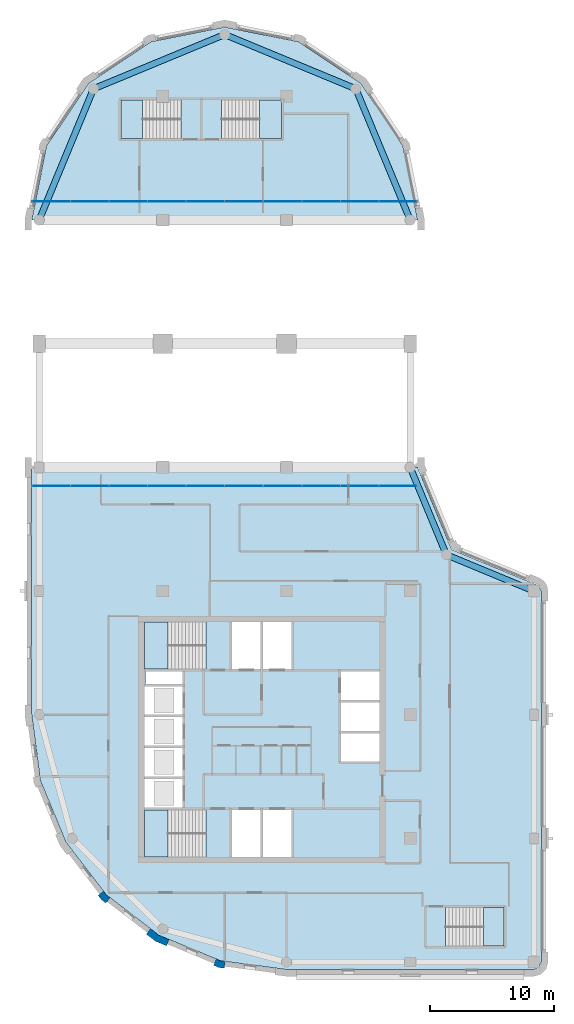
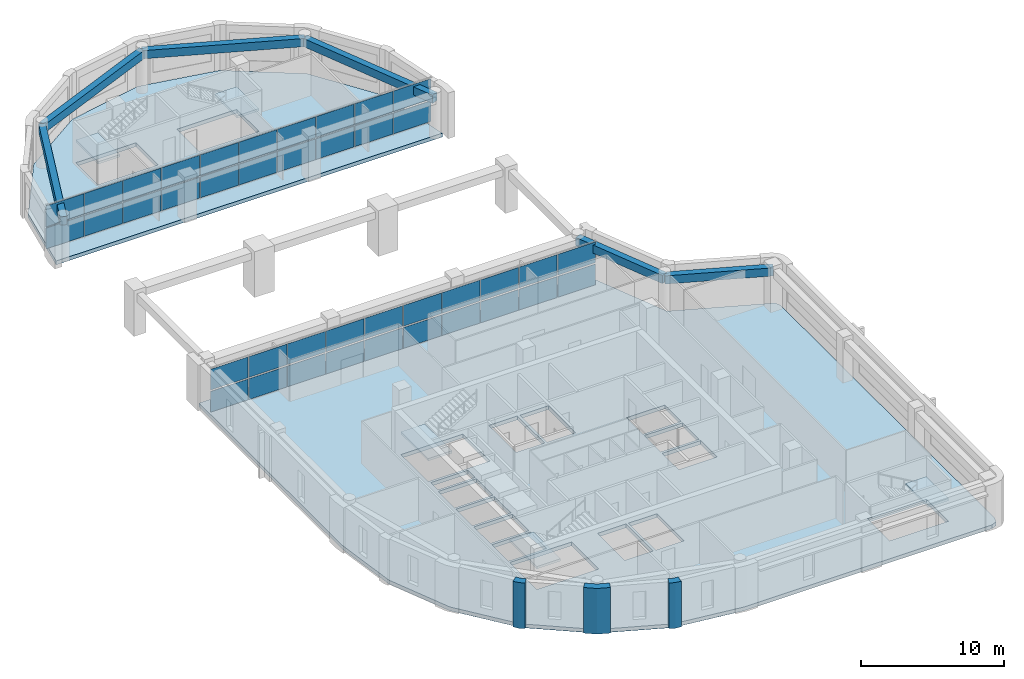
# One storey, part 4 of 11: 40 plates, 7 slabs, 6 beams, 3 walls, 7 elements without a shape of their own.
"""IFC4 building model written with IfcOpenShell, lengths in metres."""

from ifc_helpers import new_model, si_unit, direction, frame, origin, origin_2d, place, context, subcontext, project, spatial, polyline, rectangle, outline, extrude, material, layer, layer_set, material_profile, profile_set, type_object, element, aggregate, save


model = new_model("IFC4")

# Units and contexts
model_context = context("Model", 3, precision=1e-05, world=origin(), true_north=direction((0.0, 1.0)))
body_context = subcontext(model_context, "Body", "Model", "MODEL_VIEW")
ifc_project = project(units=[si_unit("LENGTHUNIT", "METRE"), si_unit("AREAUNIT", "SQUARE_METRE"), si_unit("VOLUMEUNIT", "CUBIC_METRE"), si_unit("PLANEANGLEUNIT", "RADIAN"), si_unit("MASSUNIT", "GRAM", prefix="KILO")], contexts=[model_context])

# Site, building, storey
site_placement = place(None, origin())
site = spatial("IfcSite", under=ifc_project, at=site_placement, CompositionType="ELEMENT")
building_placement = place(site_placement, origin())
building = spatial("IfcBuilding", under=site, at=building_placement, Name="Qaws Garden Tower", CompositionType="ELEMENT")
storey_placement = place(building_placement, frame((0.0, 0.0, 317.699951171875)))
storey = spatial("IfcBuildingStorey", under=building, at=storey_placement, Name="L77", CompositionType="ELEMENT", Elevation=317.699951171875)

# Beams
ifc_material_1 = material(Name="Concrete C45", Category="concrete")
ifc_material_profile = material_profile(ifc_material_1, rectangle(XDim=0.5, YDim=0.699951171875, at=origin_2d()), Name="RC 500x700")
ifc_profile_set = profile_set([ifc_material_profile], Name="Concrete C45")
beam_type = type_object("IfcBeamType", Name="Spandrel beam RC 500x700 C45", PredefinedType="SPANDREL", material=ifc_profile_set)
for number, where, z_axis, x_axis, name in (
    (1, (40.0, 30.0, 3.22998046875), (-0.923878037141, 0.382687042488, 0.0), (-0.382687042488, -0.923878037141, 0.0), "Spandrel beam L77-006"),
    (2, (32.928955078125, 32.928955078125, 3.22998046875), (-0.382687042488, 0.923878037141, 0.0), (-0.923878037141, -0.382687042488, 0.0), "Spandrel beam L77-007"),
):
    element("IfcBeam", number, at=place(storey_placement, frame(where, z_axis=z_axis, x_axis=x_axis)), inside=storey, type_object=beam_type, Name=name, PredefinedType="SPANDREL", context=body_context, shape_type="SweptSolid", body=[
        extrude(rectangle(XDim=0.5, YDim=0.699951171875, at=origin_2d()), origin(), (0.0, 0.0, 1.0), 7.653564453125),
    ])
for number, where, z_axis, x_axis, name in (
    (3, (30.0, 60.0, 3.22998046875), (-0.382674207535, 0.923883353507, 0.0), (-0.923883353507, -0.382674207535, 0.0), "Spandrel beam L77-009"),
    (4, (25.606689453125, 70.606689453125, 3.22998046875), (-0.923883353507, 0.382674207535, 0.0), (-0.382674207535, -0.923883353507, 0.0), "Spandrel beam L77-010"),
    (5, (15.0, 75.0, 3.22998046875), (-0.923883353507, -0.382674207535, 0.0), (0.382674207535, -0.923883353507, 0.0), "Spandrel beam L77-011"),
    (6, (4.393310546875, 70.606689453125, 3.22998046875), (-0.382674207535, -0.923883353507, 0.0), (0.923883353507, -0.382674207535, 0.0), "Spandrel beam L77-012"),
):
    element("IfcBeam", number, at=place(storey_placement, frame(where, z_axis=z_axis, x_axis=x_axis)), inside=storey, type_object=beam_type, Name=name, PredefinedType="SPANDREL", context=body_context, shape_type="SweptSolid", body=[
        extrude(rectangle(XDim=0.5, YDim=0.699951171875, at=origin_2d()), origin(), (0.0, 0.0, 1.0), 11.48046875),
    ])

# Curtain wall, plates
ifc_material_2 = material(Name="Anodised aluminium curtain wall frame", Category="aluminium")
ifc_layer_1 = layer(ifc_material_2, 0.159912109375)
ifc_layer_set_1 = layer_set([ifc_layer_1], Name="Anodised aluminium curtain wall frame")
curtain_wall_type = type_object("IfcCurtainWallType", Name="CW5 portal screen curtain wall", PredefinedType="NOTDEFINED", material=ifc_layer_set_1)
placement_1 = place(storey_placement, origin())
curtain_wall_1 = element("IfcCurtainWall", 7, at=placement_1, inside=storey, type_object=curtain_wall_type, Name="CW5 Portal screen 0", PredefinedType="NOTDEFINED")
ifc_material_3 = material(Name="Clear laminated glass", Category="glass")
ifc_layer_2 = layer(ifc_material_3, 0.031982421875)
ifc_layer_set_2 = layer_set([ifc_layer_2], Name="Clear laminated glass")
plate_type = type_object("IfcPlateType", Name="CW5 glass panel 32", PredefinedType="CURTAIN_PANEL", material=ifc_layer_set_2)
plate_1_placement = place(storey_placement, frame((0.972412109375, 38.5, 0.1201171875), z_axis=(0.0, 0.0, 1.0), x_axis=(1.0, 0.0, 0.0)))
plate_1 = element("IfcPlate", 8, at=plate_1_placement, type_object=plate_type, Name="CW5 panel 1.1", PredefinedType="CURTAIN_PANEL", context=body_context, shape_type="SweptSolid", body=[
    extrude(rectangle(XDim=3.044921875, YDim=0.031982421875, at=origin_2d()), origin(), (0.0, 0.0, 1.0), 1.77001953125),
])
plate_2_placement = place(storey_placement, frame((0.972412109375, 38.5, 2.010009765625), z_axis=(0.0, 0.0, 1.0), x_axis=(1.0, 0.0, 0.0)))
plate_2 = element("IfcPlate", 9, at=plate_2_placement, type_object=plate_type, Name="CW5 panel 1.2", PredefinedType="CURTAIN_PANEL", context=body_context, shape_type="SweptSolid", body=[
    extrude(rectangle(XDim=3.044921875, YDim=0.031982421875, at=origin_2d()), origin(), (0.0, 0.0, 1.0), 1.77001953125),
])
plate_3_placement = place(storey_placement, frame((4.080078125, 38.5, 0.1201171875), z_axis=(0.0, 0.0, 1.0), x_axis=(1.0, 0.0, 0.0)))
plate_3 = element("IfcPlate", 10, at=plate_3_placement, type_object=plate_type, Name="CW5 panel 2.1", PredefinedType="CURTAIN_PANEL", context=body_context, shape_type="SweptSolid", body=[
    extrude(rectangle(XDim=3.070068359375, YDim=0.031982421875, at=origin_2d()), origin(), (0.0, 0.0, 1.0), 1.77001953125),
])
plate_4_placement = place(storey_placement, frame((4.080078125, 38.5, 2.010009765625), z_axis=(0.0, 0.0, 1.0), x_axis=(1.0, 0.0, 0.0)))
plate_4 = element("IfcPlate", 11, at=plate_4_placement, type_object=plate_type, Name="CW5 panel 2.2", PredefinedType="CURTAIN_PANEL", context=body_context, shape_type="SweptSolid", body=[
    extrude(rectangle(XDim=3.070068359375, YDim=0.031982421875, at=origin_2d()), origin(), (0.0, 0.0, 1.0), 1.77001953125),
])
plate_5_placement = place(storey_placement, frame((7.199951171875, 38.5, 0.1201171875), z_axis=(0.0, 0.0, 1.0), x_axis=(1.0, 0.0, 0.0)))
plate_5 = element("IfcPlate", 12, at=plate_5_placement, type_object=plate_type, Name="CW5 panel 3.1", PredefinedType="CURTAIN_PANEL", context=body_context, shape_type="SweptSolid", body=[
    extrude(rectangle(XDim=3.070068359375, YDim=0.031982421875, at=origin_2d()), origin(), (0.0, 0.0, 1.0), 1.77001953125),
])
plate_6_placement = place(storey_placement, frame((7.199951171875, 38.5, 2.010009765625), z_axis=(0.0, 0.0, 1.0), x_axis=(1.0, 0.0, 0.0)))
plate_6 = element("IfcPlate", 13, at=plate_6_placement, type_object=plate_type, Name="CW5 panel 3.2", PredefinedType="CURTAIN_PANEL", context=body_context, shape_type="SweptSolid", body=[
    extrude(rectangle(XDim=3.070068359375, YDim=0.031982421875, at=origin_2d()), origin(), (0.0, 0.0, 1.0), 1.77001953125),
])
plate_7_placement = place(storey_placement, frame((10.320068359375, 38.5, 0.1201171875), z_axis=(0.0, 0.0, 1.0), x_axis=(1.0, 0.0, 0.0)))
plate_7 = element("IfcPlate", 14, at=plate_7_placement, type_object=plate_type, Name="CW5 panel 4.1", PredefinedType="CURTAIN_PANEL", context=body_context, shape_type="SweptSolid", body=[
    extrude(rectangle(XDim=3.070068359375, YDim=0.031982421875, at=origin_2d()), origin(), (0.0, 0.0, 1.0), 1.77001953125),
])
plate_8_placement = place(storey_placement, frame((10.320068359375, 38.5, 2.010009765625), z_axis=(0.0, 0.0, 1.0), x_axis=(1.0, 0.0, 0.0)))
plate_8 = element("IfcPlate", 15, at=plate_8_placement, type_object=plate_type, Name="CW5 panel 4.2", PredefinedType="CURTAIN_PANEL", context=body_context, shape_type="SweptSolid", body=[
    extrude(rectangle(XDim=3.070068359375, YDim=0.031982421875, at=origin_2d()), origin(), (0.0, 0.0, 1.0), 1.77001953125),
])
plate_9_placement = place(storey_placement, frame((13.43994140625, 38.5, 0.1201171875), z_axis=(0.0, 0.0, 1.0), x_axis=(1.0, 0.0, 0.0)))
plate_9 = element("IfcPlate", 16, at=plate_9_placement, type_object=plate_type, Name="CW5 panel 5.1", PredefinedType="CURTAIN_PANEL", context=body_context, shape_type="SweptSolid", body=[
    extrude(rectangle(XDim=3.070068359375, YDim=0.031982421875, at=origin_2d()), origin(), (0.0, 0.0, 1.0), 1.77001953125),
])
plate_10_placement = place(storey_placement, frame((13.43994140625, 38.5, 2.010009765625), z_axis=(0.0, 0.0, 1.0), x_axis=(1.0, 0.0, 0.0)))
plate_10 = element("IfcPlate", 17, at=plate_10_placement, type_object=plate_type, Name="CW5 panel 5.2", PredefinedType="CURTAIN_PANEL", context=body_context, shape_type="SweptSolid", body=[
    extrude(rectangle(XDim=3.070068359375, YDim=0.031982421875, at=origin_2d()), origin(), (0.0, 0.0, 1.0), 1.77001953125),
])
plate_11_placement = place(storey_placement, frame((16.56005859375, 38.5, 0.1201171875), z_axis=(0.0, 0.0, 1.0), x_axis=(1.0, 0.0, 0.0)))
plate_11 = element("IfcPlate", 18, at=plate_11_placement, type_object=plate_type, Name="CW5 panel 6.1", PredefinedType="CURTAIN_PANEL", context=body_context, shape_type="SweptSolid", body=[
    extrude(rectangle(XDim=3.070068359375, YDim=0.031982421875, at=origin_2d()), origin(), (0.0, 0.0, 1.0), 1.77001953125),
])
plate_12_placement = place(storey_placement, frame((16.56005859375, 38.5, 2.010009765625), z_axis=(0.0, 0.0, 1.0), x_axis=(1.0, 0.0, 0.0)))
plate_12 = element("IfcPlate", 19, at=plate_12_placement, type_object=plate_type, Name="CW5 panel 6.2", PredefinedType="CURTAIN_PANEL", context=body_context, shape_type="SweptSolid", body=[
    extrude(rectangle(XDim=3.070068359375, YDim=0.031982421875, at=origin_2d()), origin(), (0.0, 0.0, 1.0), 1.77001953125),
])
plate_13_placement = place(storey_placement, frame((19.679931640625, 38.5, 0.1201171875), z_axis=(0.0, 0.0, 1.0), x_axis=(1.0, 0.0, 0.0)))
plate_13 = element("IfcPlate", 20, at=plate_13_placement, type_object=plate_type, Name="CW5 panel 7.1", PredefinedType="CURTAIN_PANEL", context=body_context, shape_type="SweptSolid", body=[
    extrude(rectangle(XDim=3.070068359375, YDim=0.031982421875, at=origin_2d()), origin(), (0.0, 0.0, 1.0), 1.77001953125),
])
plate_14_placement = place(storey_placement, frame((19.679931640625, 38.5, 2.010009765625), z_axis=(0.0, 0.0, 1.0), x_axis=(1.0, 0.0, 0.0)))
plate_14 = element("IfcPlate", 21, at=plate_14_placement, type_object=plate_type, Name="CW5 panel 7.2", PredefinedType="CURTAIN_PANEL", context=body_context, shape_type="SweptSolid", body=[
    extrude(rectangle(XDim=3.070068359375, YDim=0.031982421875, at=origin_2d()), origin(), (0.0, 0.0, 1.0), 1.77001953125),
])
plate_15_placement = place(storey_placement, frame((22.800048828125, 38.5, 0.1201171875), z_axis=(0.0, 0.0, 1.0), x_axis=(1.0, 0.0, 0.0)))
plate_15 = element("IfcPlate", 22, at=plate_15_placement, type_object=plate_type, Name="CW5 panel 8.1", PredefinedType="CURTAIN_PANEL", context=body_context, shape_type="SweptSolid", body=[
    extrude(rectangle(XDim=3.070068359375, YDim=0.031982421875, at=origin_2d()), origin(), (0.0, 0.0, 1.0), 1.77001953125),
])
plate_16_placement = place(storey_placement, frame((22.800048828125, 38.5, 2.010009765625), z_axis=(0.0, 0.0, 1.0), x_axis=(1.0, 0.0, 0.0)))
plate_16 = element("IfcPlate", 23, at=plate_16_placement, type_object=plate_type, Name="CW5 panel 8.2", PredefinedType="CURTAIN_PANEL", context=body_context, shape_type="SweptSolid", body=[
    extrude(rectangle(XDim=3.070068359375, YDim=0.031982421875, at=origin_2d()), origin(), (0.0, 0.0, 1.0), 1.77001953125),
])
plate_17_placement = place(storey_placement, frame((25.919921875, 38.5, 0.1201171875), z_axis=(0.0, 0.0, 1.0), x_axis=(1.0, 0.0, 0.0)))
plate_17 = element("IfcPlate", 24, at=plate_17_placement, type_object=plate_type, Name="CW5 panel 9.1", PredefinedType="CURTAIN_PANEL", context=body_context, shape_type="SweptSolid", body=[
    extrude(rectangle(XDim=3.070068359375, YDim=0.031982421875, at=origin_2d()), origin(), (0.0, 0.0, 1.0), 1.77001953125),
])
plate_18_placement = place(storey_placement, frame((25.919921875, 38.5, 2.010009765625), z_axis=(0.0, 0.0, 1.0), x_axis=(1.0, 0.0, 0.0)))
plate_18 = element("IfcPlate", 25, at=plate_18_placement, type_object=plate_type, Name="CW5 panel 9.2", PredefinedType="CURTAIN_PANEL", context=body_context, shape_type="SweptSolid", body=[
    extrude(rectangle(XDim=3.070068359375, YDim=0.031982421875, at=origin_2d()), origin(), (0.0, 0.0, 1.0), 1.77001953125),
])
plate_19_placement = place(storey_placement, frame((29.027587890625, 38.5, 0.1201171875), z_axis=(0.0, 0.0, 1.0), x_axis=(1.0, 0.0, 0.0)))
plate_19 = element("IfcPlate", 26, at=plate_19_placement, type_object=plate_type, Name="CW5 panel 10.1", PredefinedType="CURTAIN_PANEL", context=body_context, shape_type="SweptSolid", body=[
    extrude(rectangle(XDim=3.044921875, YDim=0.031982421875, at=origin_2d()), origin(), (0.0, 0.0, 1.0), 1.77001953125),
])
plate_20_placement = place(storey_placement, frame((29.027587890625, 38.5, 2.010009765625), z_axis=(0.0, 0.0, 1.0), x_axis=(1.0, 0.0, 0.0)))
plate_20 = element("IfcPlate", 27, at=plate_20_placement, type_object=plate_type, Name="CW5 panel 10.2", PredefinedType="CURTAIN_PANEL", context=body_context, shape_type="SweptSolid", body=[
    extrude(rectangle(XDim=3.044921875, YDim=0.031982421875, at=origin_2d()), origin(), (0.0, 0.0, 1.0), 1.77001953125),
])
aggregate(curtain_wall_1, [plate_1, plate_2, plate_3, plate_4, plate_5, plate_6, plate_7, plate_8, plate_9, plate_10, plate_11, plate_12, plate_13, plate_14, plate_15, plate_16, plate_17, plate_18, plate_19, plate_20])

curtain_wall_2 = element("IfcCurtainWall", 28, at=placement_1, inside=storey, type_object=curtain_wall_type, Name="CW5 Portal screen 1", PredefinedType="NOTDEFINED")
plate_21_placement = place(storey_placement, frame((0.972412109375, 61.5, 0.1201171875), z_axis=(0.0, 0.0, 1.0), x_axis=(1.0, 0.0, 0.0)))
plate_21 = element("IfcPlate", 29, at=plate_21_placement, type_object=plate_type, Name="CW5 panel 1.1", PredefinedType="CURTAIN_PANEL", context=body_context, shape_type="SweptSolid", body=[
    extrude(rectangle(XDim=3.044921875, YDim=0.031982421875, at=origin_2d()), origin(), (0.0, 0.0, 1.0), 1.77001953125),
])
plate_22_placement = place(storey_placement, frame((0.972412109375, 61.5, 2.010009765625), z_axis=(0.0, 0.0, 1.0), x_axis=(1.0, 0.0, 0.0)))
plate_22 = element("IfcPlate", 30, at=plate_22_placement, type_object=plate_type, Name="CW5 panel 1.2", PredefinedType="CURTAIN_PANEL", context=body_context, shape_type="SweptSolid", body=[
    extrude(rectangle(XDim=3.044921875, YDim=0.031982421875, at=origin_2d()), origin(), (0.0, 0.0, 1.0), 1.77001953125),
])
plate_23_placement = place(storey_placement, frame((4.080078125, 61.5, 0.1201171875), z_axis=(0.0, 0.0, 1.0), x_axis=(1.0, 0.0, 0.0)))
plate_23 = element("IfcPlate", 31, at=plate_23_placement, type_object=plate_type, Name="CW5 panel 2.1", PredefinedType="CURTAIN_PANEL", context=body_context, shape_type="SweptSolid", body=[
    extrude(rectangle(XDim=3.070068359375, YDim=0.031982421875, at=origin_2d()), origin(), (0.0, 0.0, 1.0), 1.77001953125),
])
plate_24_placement = place(storey_placement, frame((4.080078125, 61.5, 2.010009765625), z_axis=(0.0, 0.0, 1.0), x_axis=(1.0, 0.0, 0.0)))
plate_24 = element("IfcPlate", 32, at=plate_24_placement, type_object=plate_type, Name="CW5 panel 2.2", PredefinedType="CURTAIN_PANEL", context=body_context, shape_type="SweptSolid", body=[
    extrude(rectangle(XDim=3.070068359375, YDim=0.031982421875, at=origin_2d()), origin(), (0.0, 0.0, 1.0), 1.77001953125),
])
plate_25_placement = place(storey_placement, frame((7.199951171875, 61.5, 0.1201171875), z_axis=(0.0, 0.0, 1.0), x_axis=(1.0, 0.0, 0.0)))
plate_25 = element("IfcPlate", 33, at=plate_25_placement, type_object=plate_type, Name="CW5 panel 3.1", PredefinedType="CURTAIN_PANEL", context=body_context, shape_type="SweptSolid", body=[
    extrude(rectangle(XDim=3.070068359375, YDim=0.031982421875, at=origin_2d()), origin(), (0.0, 0.0, 1.0), 1.77001953125),
])
plate_26_placement = place(storey_placement, frame((7.199951171875, 61.5, 2.010009765625), z_axis=(0.0, 0.0, 1.0), x_axis=(1.0, 0.0, 0.0)))
plate_26 = element("IfcPlate", 34, at=plate_26_placement, type_object=plate_type, Name="CW5 panel 3.2", PredefinedType="CURTAIN_PANEL", context=body_context, shape_type="SweptSolid", body=[
    extrude(rectangle(XDim=3.070068359375, YDim=0.031982421875, at=origin_2d()), origin(), (0.0, 0.0, 1.0), 1.77001953125),
])
plate_27_placement = place(storey_placement, frame((10.320068359375, 61.5, 0.1201171875), z_axis=(0.0, 0.0, 1.0), x_axis=(1.0, 0.0, 0.0)))
plate_27 = element("IfcPlate", 35, at=plate_27_placement, type_object=plate_type, Name="CW5 panel 4.1", PredefinedType="CURTAIN_PANEL", context=body_context, shape_type="SweptSolid", body=[
    extrude(rectangle(XDim=3.070068359375, YDim=0.031982421875, at=origin_2d()), origin(), (0.0, 0.0, 1.0), 1.77001953125),
])
plate_28_placement = place(storey_placement, frame((10.320068359375, 61.5, 2.010009765625), z_axis=(0.0, 0.0, 1.0), x_axis=(1.0, 0.0, 0.0)))
plate_28 = element("IfcPlate", 36, at=plate_28_placement, type_object=plate_type, Name="CW5 panel 4.2", PredefinedType="CURTAIN_PANEL", context=body_context, shape_type="SweptSolid", body=[
    extrude(rectangle(XDim=3.070068359375, YDim=0.031982421875, at=origin_2d()), origin(), (0.0, 0.0, 1.0), 1.77001953125),
])
plate_29_placement = place(storey_placement, frame((13.43994140625, 61.5, 0.1201171875), z_axis=(0.0, 0.0, 1.0), x_axis=(1.0, 0.0, 0.0)))
plate_29 = element("IfcPlate", 37, at=plate_29_placement, type_object=plate_type, Name="CW5 panel 5.1", PredefinedType="CURTAIN_PANEL", context=body_context, shape_type="SweptSolid", body=[
    extrude(rectangle(XDim=3.070068359375, YDim=0.031982421875, at=origin_2d()), origin(), (0.0, 0.0, 1.0), 1.77001953125),
])
plate_30_placement = place(storey_placement, frame((13.43994140625, 61.5, 2.010009765625), z_axis=(0.0, 0.0, 1.0), x_axis=(1.0, 0.0, 0.0)))
plate_30 = element("IfcPlate", 38, at=plate_30_placement, type_object=plate_type, Name="CW5 panel 5.2", PredefinedType="CURTAIN_PANEL", context=body_context, shape_type="SweptSolid", body=[
    extrude(rectangle(XDim=3.070068359375, YDim=0.031982421875, at=origin_2d()), origin(), (0.0, 0.0, 1.0), 1.77001953125),
])
plate_31_placement = place(storey_placement, frame((16.56005859375, 61.5, 0.1201171875), z_axis=(0.0, 0.0, 1.0), x_axis=(1.0, 0.0, 0.0)))
plate_31 = element("IfcPlate", 39, at=plate_31_placement, type_object=plate_type, Name="CW5 panel 6.1", PredefinedType="CURTAIN_PANEL", context=body_context, shape_type="SweptSolid", body=[
    extrude(rectangle(XDim=3.070068359375, YDim=0.031982421875, at=origin_2d()), origin(), (0.0, 0.0, 1.0), 1.77001953125),
])
plate_32_placement = place(storey_placement, frame((16.56005859375, 61.5, 2.010009765625), z_axis=(0.0, 0.0, 1.0), x_axis=(1.0, 0.0, 0.0)))
plate_32 = element("IfcPlate", 40, at=plate_32_placement, type_object=plate_type, Name="CW5 panel 6.2", PredefinedType="CURTAIN_PANEL", context=body_context, shape_type="SweptSolid", body=[
    extrude(rectangle(XDim=3.070068359375, YDim=0.031982421875, at=origin_2d()), origin(), (0.0, 0.0, 1.0), 1.77001953125),
])
plate_33_placement = place(storey_placement, frame((19.679931640625, 61.5, 0.1201171875), z_axis=(0.0, 0.0, 1.0), x_axis=(1.0, 0.0, 0.0)))
plate_33 = element("IfcPlate", 41, at=plate_33_placement, type_object=plate_type, Name="CW5 panel 7.1", PredefinedType="CURTAIN_PANEL", context=body_context, shape_type="SweptSolid", body=[
    extrude(rectangle(XDim=3.070068359375, YDim=0.031982421875, at=origin_2d()), origin(), (0.0, 0.0, 1.0), 1.77001953125),
])
plate_34_placement = place(storey_placement, frame((19.679931640625, 61.5, 2.010009765625), z_axis=(0.0, 0.0, 1.0), x_axis=(1.0, 0.0, 0.0)))
plate_34 = element("IfcPlate", 42, at=plate_34_placement, type_object=plate_type, Name="CW5 panel 7.2", PredefinedType="CURTAIN_PANEL", context=body_context, shape_type="SweptSolid", body=[
    extrude(rectangle(XDim=3.070068359375, YDim=0.031982421875, at=origin_2d()), origin(), (0.0, 0.0, 1.0), 1.77001953125),
])
plate_35_placement = place(storey_placement, frame((22.800048828125, 61.5, 0.1201171875), z_axis=(0.0, 0.0, 1.0), x_axis=(1.0, 0.0, 0.0)))
plate_35 = element("IfcPlate", 43, at=plate_35_placement, type_object=plate_type, Name="CW5 panel 8.1", PredefinedType="CURTAIN_PANEL", context=body_context, shape_type="SweptSolid", body=[
    extrude(rectangle(XDim=3.070068359375, YDim=0.031982421875, at=origin_2d()), origin(), (0.0, 0.0, 1.0), 1.77001953125),
])
plate_36_placement = place(storey_placement, frame((22.800048828125, 61.5, 2.010009765625), z_axis=(0.0, 0.0, 1.0), x_axis=(1.0, 0.0, 0.0)))
plate_36 = element("IfcPlate", 44, at=plate_36_placement, type_object=plate_type, Name="CW5 panel 8.2", PredefinedType="CURTAIN_PANEL", context=body_context, shape_type="SweptSolid", body=[
    extrude(rectangle(XDim=3.070068359375, YDim=0.031982421875, at=origin_2d()), origin(), (0.0, 0.0, 1.0), 1.77001953125),
])
plate_37_placement = place(storey_placement, frame((25.919921875, 61.5, 0.1201171875), z_axis=(0.0, 0.0, 1.0), x_axis=(1.0, 0.0, 0.0)))
plate_37 = element("IfcPlate", 45, at=plate_37_placement, type_object=plate_type, Name="CW5 panel 9.1", PredefinedType="CURTAIN_PANEL", context=body_context, shape_type="SweptSolid", body=[
    extrude(rectangle(XDim=3.070068359375, YDim=0.031982421875, at=origin_2d()), origin(), (0.0, 0.0, 1.0), 1.77001953125),
])
plate_38_placement = place(storey_placement, frame((25.919921875, 61.5, 2.010009765625), z_axis=(0.0, 0.0, 1.0), x_axis=(1.0, 0.0, 0.0)))
plate_38 = element("IfcPlate", 46, at=plate_38_placement, type_object=plate_type, Name="CW5 panel 9.2", PredefinedType="CURTAIN_PANEL", context=body_context, shape_type="SweptSolid", body=[
    extrude(rectangle(XDim=3.070068359375, YDim=0.031982421875, at=origin_2d()), origin(), (0.0, 0.0, 1.0), 1.77001953125),
])
plate_39_placement = place(storey_placement, frame((29.027587890625, 61.5, 0.1201171875), z_axis=(0.0, 0.0, 1.0), x_axis=(1.0, 0.0, 0.0)))
plate_39 = element("IfcPlate", 47, at=plate_39_placement, type_object=plate_type, Name="CW5 panel 10.1", PredefinedType="CURTAIN_PANEL", context=body_context, shape_type="SweptSolid", body=[
    extrude(rectangle(XDim=3.044921875, YDim=0.031982421875, at=origin_2d()), origin(), (0.0, 0.0, 1.0), 1.77001953125),
])
plate_40_placement = place(storey_placement, frame((29.027587890625, 61.5, 2.010009765625), z_axis=(0.0, 0.0, 1.0), x_axis=(1.0, 0.0, 0.0)))
plate_40 = element("IfcPlate", 48, at=plate_40_placement, type_object=plate_type, Name="CW5 panel 10.2", PredefinedType="CURTAIN_PANEL", context=body_context, shape_type="SweptSolid", body=[
    extrude(rectangle(XDim=3.044921875, YDim=0.031982421875, at=origin_2d()), origin(), (0.0, 0.0, 1.0), 1.77001953125),
])
aggregate(curtain_wall_2, [plate_21, plate_22, plate_23, plate_24, plate_25, plate_26, plate_27, plate_28, plate_29, plate_30, plate_31, plate_32, plate_33, plate_34, plate_35, plate_36, plate_37, plate_38, plate_39, plate_40])

# Slabs
ifc_material_4 = material(Name="Concrete C40", Category="concrete")
ifc_layer_3 = layer(ifc_material_4, 0.320068359375)
ifc_layer_set_3 = layer_set([ifc_layer_3], Name="Concrete C40")
slab_type_1 = type_object("IfcSlabType", Name="Floor slab 320 C40", PredefinedType="FLOOR", material=ifc_layer_set_3)
placement_2 = place(storey_placement, frame((0.0, 0.0, -0.320068359375)))
element("IfcSlab", 49, at=placement_2, inside=storey, type_object=slab_type_1, Name="Floor slab L77 part 1", PredefinedType="FLOOR", context=body_context, shape_type="SweptSolid", body=[
    extrude(outline(polyline([(-0.60009765625, 20.0), (-0.60009765625, 30.60009765625), (-0.60009765625, 40.0), (30.60009765625, 40.0), (33.353271484375, 33.353271484375), (40.0, 30.60009765625), (40.42431640625, 30.42431640625), (40.60009765625, 30.0), (40.60009765625, 0.0), (40.42431640625, -0.42431640625), (40.0, -0.60009765625), (30.60009765625, -0.60009765625), (20.0, -0.60009765625), (14.668212890625, 0.101806640625), (9.699951171875, 2.159912109375), (5.43359375, 5.43359375), (2.159912109375, 9.699951171875), (0.101806640625, 14.668212890625), (-0.60009765625, 20.0)]), holes=[polyline([(13.49951171875, 12.300048828125), (8.5, 12.300048828125), (8.5, 8.5), (13.49951171875, 8.5), (13.49951171875, 12.300048828125)]), polyline([(17.89990234375, 12.300048828125), (15.60009765625, 12.300048828125), (15.60009765625, 8.5), (17.89990234375, 8.5), (17.89990234375, 12.300048828125)]), polyline([(11.60009765625, 14.800048828125), (8.5, 14.800048828125), (8.5, 12.5), (11.60009765625, 12.5), (11.60009765625, 14.800048828125)]), polyline([(11.60009765625, 17.300048828125), (8.5, 17.300048828125), (8.5, 15.0), (11.60009765625, 15.0), (11.60009765625, 17.300048828125)]), polyline([(11.60009765625, 19.800048828125), (8.5, 19.800048828125), (8.5, 17.5), (11.60009765625, 17.5), (11.60009765625, 19.800048828125)]), polyline([(11.60009765625, 22.300048828125), (8.5, 22.300048828125), (8.5, 20.0), (11.60009765625, 20.0), (11.60009765625, 22.300048828125)]), polyline([(11.60009765625, 23.5), (8.60009765625, 23.5), (8.60009765625, 22.5), (11.60009765625, 22.5), (11.60009765625, 23.5)]), polyline([(13.49951171875, 27.5), (8.5, 27.5), (8.5, 23.699951171875), (13.49951171875, 23.699951171875), (13.49951171875, 27.5)]), polyline([(37.60009765625, 4.39990234375), (32.8505859375, 4.39990234375), (32.8505859375, 1.300048828125), (37.60009765625, 1.300048828125), (37.60009765625, 4.39990234375)]), polyline([(20.39990234375, 12.300048828125), (18.10009765625, 12.300048828125), (18.10009765625, 8.5), (20.39990234375, 8.5), (20.39990234375, 12.300048828125)]), polyline([(27.5, 18.5), (24.39990234375, 18.5), (24.39990234375, 16.199951171875), (27.5, 16.199951171875), (27.5, 18.5)]), polyline([(27.5, 21.0), (24.39990234375, 21.0), (24.39990234375, 18.699951171875), (27.5, 18.699951171875), (27.5, 21.0)]), polyline([(27.5, 23.5), (24.39990234375, 23.5), (24.39990234375, 21.199951171875), (27.5, 21.199951171875), (27.5, 23.5)]), polyline([(17.89990234375, 27.5), (15.60009765625, 27.5), (15.60009765625, 23.699951171875), (17.89990234375, 23.699951171875), (17.89990234375, 27.5)]), polyline([(20.39990234375, 23.699951171875), (20.39990234375, 27.5), (18.10009765625, 27.5), (18.10009765625, 23.699951171875), (20.39990234375, 23.699951171875)])]), origin(), (0.0, 0.0, 1.0), 0.320068359375),
])
element("IfcSlab", 50, at=placement_2, inside=storey, type_object=slab_type_1, Name="Floor slab L77 part 2", PredefinedType="FLOOR", context=body_context, shape_type="SweptSolid", body=[
    extrude(outline(polyline([(3.968994140625, 71.031005859375), (9.030029296875, 74.41259765625), (15.0, 75.60009765625), (20.969970703125, 74.41259765625), (26.031005859375, 71.031005859375), (29.41259765625, 65.969970703125), (30.60009765625, 60.0), (-0.60009765625, 60.0), (0.58740234375, 65.969970703125), (3.968994140625, 71.031005859375)]), holes=[polyline([(11.449462890625, 69.699951171875), (6.60009765625, 69.699951171875), (6.60009765625, 66.60009765625), (11.449462890625, 66.60009765625), (11.449462890625, 69.699951171875)]), polyline([(19.60009765625, 66.60009765625), (19.60009765625, 69.699951171875), (14.75048828125, 69.699951171875), (14.75048828125, 66.60009765625), (19.60009765625, 66.60009765625)])]), origin(), (0.0, 0.0, 1.0), 0.320068359375),
])

# Stair, slab
ifc_material_5 = material(Name="Concrete C40", Category="concrete")
stair_type_1 = type_object("IfcStairType", Name="Exit stair 1500", PredefinedType="HALF_TURN_STAIR", material=ifc_material_5)
stair_1 = element("IfcStair", 51, at=placement_1, inside=storey, type_object=stair_type_1, Name="Stair 1", PredefinedType="HALF_TURN_STAIR")
ifc_material_6 = material(Name="Concrete C40", Category="concrete")
ifc_layer_4 = layer(ifc_material_6, 0.199951171875)
ifc_layer_set_4 = layer_set([ifc_layer_4], Name="Concrete C40")
slab_type_2 = type_object("IfcSlabType", Name="Stair landing 200", PredefinedType="LANDING", material=ifc_layer_set_4)
placement_3 = place(storey_placement, frame((0.0, 0.0, 1.75)))
slab_3 = element("IfcSlab", 52, at=placement_3, type_object=slab_type_2, Name="ST1 landing 1", PredefinedType="LANDING", context=body_context, shape_type="SweptSolid", body=[
    extrude(outline(polyline([(8.5, 8.5), (10.419921875, 8.5), (10.419921875, 12.300048828125), (8.5, 12.300048828125), (8.5, 8.5)])), origin(), (0.0, 0.0, 1.0), 0.199951171875),
])
aggregate(stair_1, [slab_3])

stair_2 = element("IfcStair", 53, at=placement_1, inside=storey, type_object=stair_type_1, Name="Stair 4", PredefinedType="HALF_TURN_STAIR")
slab_4 = element("IfcSlab", 54, at=placement_3, type_object=slab_type_2, Name="ST4 landing 1", PredefinedType="LANDING", context=body_context, shape_type="SweptSolid", body=[
    extrude(outline(polyline([(8.5, 23.699951171875), (10.419921875, 23.699951171875), (10.419921875, 27.5), (8.5, 27.5), (8.5, 23.699951171875)])), origin(), (0.0, 0.0, 1.0), 0.199951171875),
])
aggregate(stair_2, [slab_4])

ifc_material_7 = material(Name="Concrete C40", Category="concrete")
stair_type_2 = type_object("IfcStairType", Name="Exit stair 1350", PredefinedType="HALF_TURN_STAIR", material=ifc_material_7)
stair_3 = element("IfcStair", 55, at=placement_1, inside=storey, type_object=stair_type_2, Name="Stair 5", PredefinedType="HALF_TURN_STAIR")
slab_5 = element("IfcSlab", 56, at=placement_3, type_object=slab_type_2, Name="ST5 landing 1", PredefinedType="LANDING", context=body_context, shape_type="SweptSolid", body=[
    extrude(outline(polyline([(35.929931640625, 1.300048828125), (37.60009765625, 1.300048828125), (37.60009765625, 4.39990234375), (35.929931640625, 4.39990234375), (35.929931640625, 1.300048828125)])), origin(), (0.0, 0.0, 1.0), 0.199951171875),
])
aggregate(stair_3, [slab_5])

stair_4 = element("IfcStair", 57, at=placement_1, inside=storey, type_object=stair_type_2, Name="Stair 6", PredefinedType="HALF_TURN_STAIR")
slab_6 = element("IfcSlab", 58, at=placement_3, type_object=slab_type_2, Name="ST6 landing 1", PredefinedType="LANDING", context=body_context, shape_type="SweptSolid", body=[
    extrude(outline(polyline([(6.60009765625, 66.60009765625), (8.3701171875, 66.60009765625), (8.3701171875, 69.699951171875), (6.60009765625, 69.699951171875), (6.60009765625, 66.60009765625)])), origin(), (0.0, 0.0, 1.0), 0.199951171875),
])
aggregate(stair_4, [slab_6])

stair_5 = element("IfcStair", 59, at=placement_1, inside=storey, type_object=stair_type_2, Name="Stair 7", PredefinedType="HALF_TURN_STAIR")
slab_7 = element("IfcSlab", 60, at=placement_3, type_object=slab_type_2, Name="ST7 landing 1", PredefinedType="LANDING", context=body_context, shape_type="SweptSolid", body=[
    extrude(outline(polyline([(17.830078125, 66.60009765625), (19.60009765625, 66.60009765625), (19.60009765625, 69.699951171875), (17.830078125, 69.699951171875), (17.830078125, 66.60009765625)])), origin(), (0.0, 0.0, 1.0), 0.199951171875),
])
aggregate(stair_5, [slab_7])

# Walls
ifc_material_8 = material(Name="Clay facing brick masonry", Category="masonry")
ifc_layer_5 = layer(ifc_material_8, 0.550048828125)
ifc_layer_set_5 = layer_set([ifc_layer_5], Name="Clay facing brick masonry")
wall_type_1 = type_object("IfcWallType", Name="Brick kink pier 550 x 600", PredefinedType="SOLIDWALL", material=ifc_layer_set_5)
element("IfcWall", 61, at=placement_1, inside=storey, type_object=wall_type_1, Name="E-L77-pier-24", PredefinedType="SOLIDWALL", context=body_context, shape_type="SweptSolid", body=[
    extrude(outline(polyline([(4.8818359375, 5.487060546875), (4.762939453125, 5.395751953125), (5.03759765625, 5.03759765625), (5.395751953125, 4.762939453125), (5.487060546875, 4.8818359375), (5.730712890625, 5.19921875), (5.429931640625, 5.429931640625), (5.19921875, 5.730712890625), (4.8818359375, 5.487060546875)])), origin(), (0.0, 0.0, 1.0), 3.900146484375),
])
element("IfcWall", 62, at=placement_1, inside=storey, type_object=wall_type_1, Name="E-L77-pier-26", PredefinedType="SOLIDWALL", context=body_context, shape_type="SweptSolid", body=[
    extrude(outline(polyline([(14.163818359375, -0.127685546875), (14.1064453125, -0.26611328125), (14.5234375, -0.43896484375), (14.970947265625, -0.497802734375), (14.990478515625, -0.34912109375), (15.042724609375, 0.04736328125), (14.6669921875, 0.096923828125), (14.31689453125, 0.241943359375), (14.163818359375, -0.127685546875)])), origin(), (0.0, 0.0, 1.0), 3.900146484375),
])
ifc_material_9 = material(Name="Clay facing brick masonry", Category="masonry")
ifc_layer_6 = layer(ifc_material_9, 0.550048828125)
ifc_layer_set_6 = layer_set([ifc_layer_6], Name="Clay facing brick masonry")
wall_type_2 = type_object("IfcWallType", Name="Brick pier 550 x 1600", PredefinedType="SOLIDWALL", material=ifc_layer_set_6)
element("IfcWall", 63, at=placement_1, inside=storey, type_object=wall_type_2, Name="E-L77-pier-25", PredefinedType="SOLIDWALL", context=body_context, shape_type="SweptSolid", body=[
    extrude(outline(polyline([(8.756591796875, 2.373046875), (8.665283203125, 2.254150390625), (9.419921875, 1.675048828125), (10.299072265625, 1.310791015625), (10.3564453125, 1.449462890625), (10.509521484375, 1.819091796875), (9.697509765625, 2.1552734375), (9.0, 2.6904296875), (8.756591796875, 2.373046875)])), origin(), (0.0, 0.0, 1.0), 3.900146484375),
])

save(model, "model.ifc")
